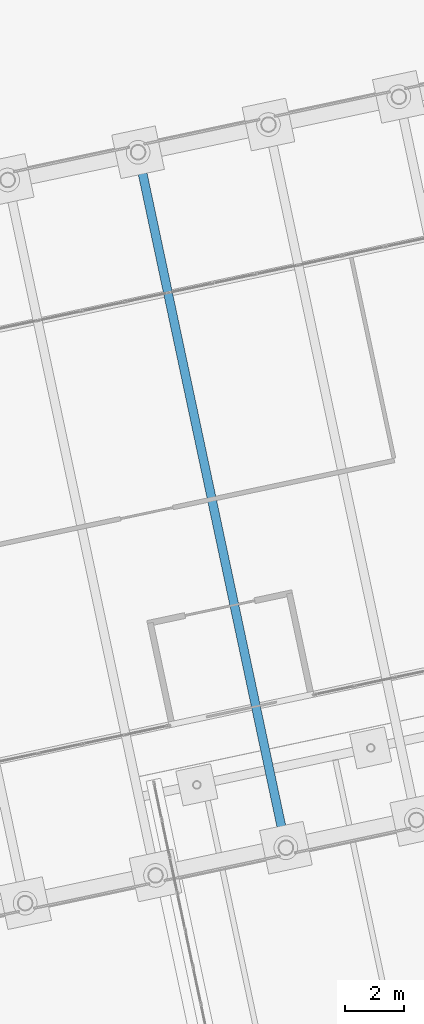
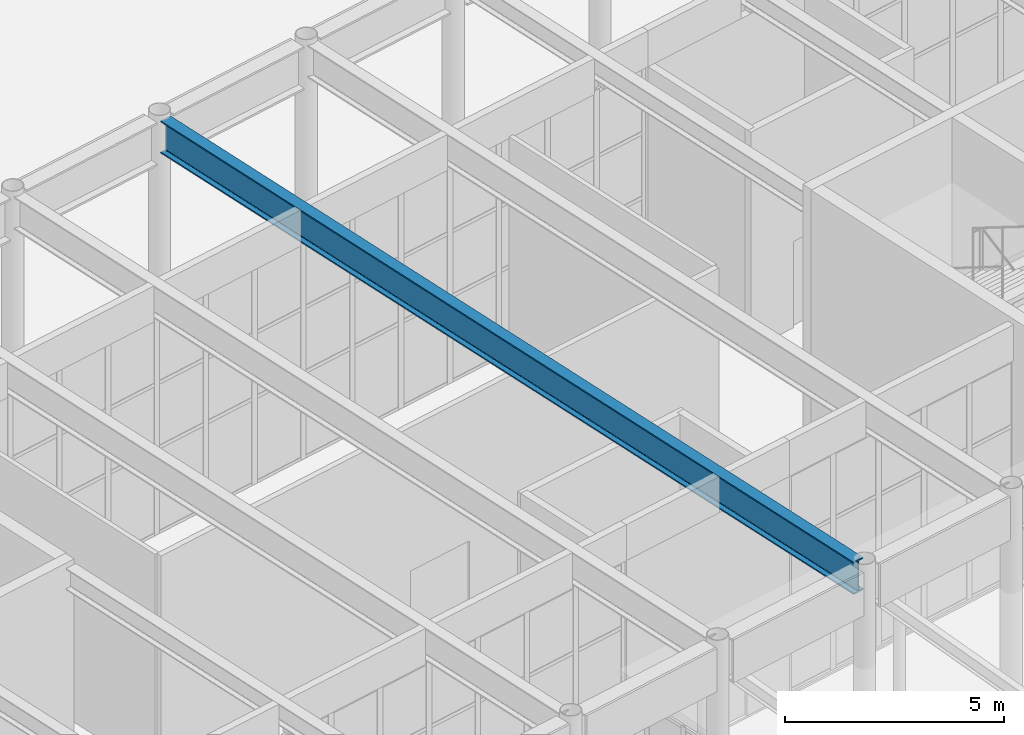
# One storey, part 72 of 239: 1 beam.
"""IFC4 building model written with IfcOpenShell, lengths in metres."""

import ifcopenshell
import ifcopenshell.guid

model = None  # the IFC model being written
_history = None  # IfcOwnerHistory: only IFC2X3 demands one
_inside = {}  # id of a spatial element -> (the spatial element, [elements in it])
_under = {}  # id of a project, library or spatial element -> (it, [spatial elements below it])
_declared = {}  # id of a project -> (the project, [libraries it declares])
_typed = {}  # id of a type object -> (the type object, [elements of that type])
_made_of = {}  # id of a material, layer set ... -> (it, [elements and type objects made of it])


def new_model(schema):
    """Start an empty IFC model of exactly this schema.

    Asked for "IFC4X3", IfcOpenShell would pick the latest addendum, in which some entities
    have other attributes; the version numbers below select the first issue.
    IFC2X3 requires an IfcOwnerHistory on every rooted entity: one is made here for all.
    """
    global model, _history
    if schema == "IFC4X3":
        model = ifcopenshell.file(schema_version=(4, 3, 0, 0))
    else:
        model = ifcopenshell.file(schema=schema)
    _inside.clear()
    _under.clear()
    _declared.clear()
    _typed.clear()
    _made_of.clear()
    _history = None
    if model.schema == "IFC2X3":
        org = make("IfcOrganization", Name="unknown")
        user = make(
            "IfcPersonAndOrganization",
            ThePerson=make("IfcPerson", FamilyName="unknown"),
            TheOrganization=org,
        )
        app = make(
            "IfcApplication",
            ApplicationDeveloper=org,
            Version="unknown",
            ApplicationFullName="unknown",
            ApplicationIdentifier="unknown",
        )
        _history = make(
            "IfcOwnerHistory",
            OwningUser=user,
            OwningApplication=app,
            ChangeAction="ADDED",
            CreationDate=0,
        )
    return model


def make(cls, **values):
    """One entity of the class cls with the attributes given. An attribute that is None is left unset."""
    return model.create_entity(
        cls, **{name: value for name, value in values.items() if value is not None}
    )


def rooted(cls, **values):
    """An entity with a GlobalId (a new one), such as an element, a storey or a relation."""
    return make(cls, GlobalId=ifcopenshell.guid.new(), OwnerHistory=_history, **values)


def si_unit(unit_type, name, prefix=None):
    """IfcSIUnit, for example si_unit("LENGTHUNIT", "METRE", prefix="MILLI")."""
    return make("IfcSIUnit", UnitType=unit_type, Prefix=prefix, Name=name)


def assignment(units):
    """IfcUnitAssignment: the units of a project."""
    return None if units is None else make("IfcUnitAssignment", Units=units)


def point(xyz):
    """IfcCartesianPoint."""
    return None if xyz is None else make("IfcCartesianPoint", Coordinates=xyz)


def direction(xyz):
    """IfcDirection."""
    return None if xyz is None else make("IfcDirection", DirectionRatios=xyz)


def frame(location, z_axis=None, x_axis=None):
    """IfcAxis2Placement3D, a coordinate frame: its origin and axes. An axis left out is left unset."""
    return make(
        "IfcAxis2Placement3D",
        Location=point(location),
        Axis=direction(z_axis),
        RefDirection=direction(x_axis),
    )


def frame_2d(location, x_axis=None):
    """IfcAxis2Placement2D, a coordinate frame in the plane: its origin and x axis."""
    return make(
        "IfcAxis2Placement2D", Location=point(location), RefDirection=direction(x_axis)
    )


def origin():
    """The frame at (0, 0, 0) with its axes left unset."""
    return frame((0.0, 0.0, 0.0))


def origin_2d():
    """The frame at (0, 0) in the plane with its x axis left unset."""
    return frame_2d((0.0, 0.0))


def place(relative_to, where):
    """IfcLocalPlacement: puts the frame where relative to a parent placement (None: the world)."""
    return make(
        "IfcLocalPlacement", PlacementRelTo=relative_to, RelativePlacement=where
    )


def context(
    kind, dimensions, precision=None, world=None, true_north=None, identifier=None
):
    """IfcGeometricRepresentationContext, for example the 3D "Model" context."""
    return make(
        "IfcGeometricRepresentationContext",
        ContextIdentifier=identifier,
        ContextType=kind,
        CoordinateSpaceDimension=dimensions,
        Precision=precision,
        WorldCoordinateSystem=world,
        TrueNorth=true_north,
    )


def subcontext(parent, identifier, kind, view, scale=None):
    """IfcGeometricRepresentationSubContext, for example "Body" below "Model"."""
    return make(
        "IfcGeometricRepresentationSubContext",
        ContextIdentifier=identifier,
        ContextType=kind,
        ParentContext=parent,
        TargetScale=scale,
        TargetView=view,
    )


def project(units=None, contexts=None):
    """IfcProject with its units and contexts."""
    return rooted(
        "IfcProject",
        Name="project",
        RepresentationContexts=contexts,
        UnitsInContext=assignment(units),
    )


def spatial(cls, under=None, at=None, **own):
    """A site, building, storey or space (cls), placed at a placement, below another one or the project."""
    s = rooted(cls, ObjectPlacement=at, **own)
    if under is not None:
        _under.setdefault(under.id(), (under, []))[1].append(s)
    return s


def profile(cls, at=None, kind="AREA", **sizes):
    """A parametric profile (cls). Its sizes go by their IFC names, for example OverallWidth=200.0."""
    return make(cls, ProfileType=kind, Position=at, **sizes)


def i_section(**sizes):
    """IfcIShapeProfileDef."""
    return profile("IfcIShapeProfileDef", **sizes)


def extrude(swept, where, along, depth):
    """IfcExtrudedAreaSolid: the profile swept, set in the frame where, extruded along a direction by depth."""
    return make(
        "IfcExtrudedAreaSolid",
        SweptArea=swept,
        Position=where,
        ExtrudedDirection=direction(along),
        Depth=depth,
    )


def shape(context_of_items, identifier, shape_type, items):
    """IfcShapeRepresentation: the items that make up one representation, for example the "Body"."""
    return make(
        "IfcShapeRepresentation",
        ContextOfItems=context_of_items,
        RepresentationIdentifier=identifier,
        RepresentationType=shape_type,
        Items=items,
    )


def material(Name=None, Category=None):
    """IfcMaterial."""
    return make("IfcMaterial", Name=Name, Category=Category)


def material_profile(
    of_material, cross_section, Name=None, Category=None, Priority=None
):
    """IfcMaterialProfile: a cross section and its material."""
    return make(
        "IfcMaterialProfile",
        Name=Name,
        Material=of_material,
        Profile=cross_section,
        Priority=Priority,
        Category=Category,
    )


def profile_set(profiles, Name=None, composite=None):
    """IfcMaterialProfileSet."""
    return make(
        "IfcMaterialProfileSet",
        Name=Name,
        MaterialProfiles=profiles,
        CompositeProfile=composite,
    )


def made_of(thing, what):
    """Note that an element or type object is made of a material, layer set ...; save() writes the relation."""
    if what is not None:
        _made_of.setdefault(what.id(), (what, []))[1].append(thing)
    return thing


def type_object(cls, material=None, **own):
    """A type object (cls), such as IfcWallType, which elements share."""
    return made_of(rooted(cls, **own), material)


def element(
    cls,
    number,
    at=None,
    inside=None,
    cuts=None,
    type_object=None,
    material=None,
    context=None,
    identifier="Body",
    shape_type=None,
    held_by="IfcProductDefinitionShape",
    body=None,
    shapes=None,
    **own,
):
    """One element of the class cls, such as IfcWall. Its Tag is "e" and its number.

    at: its placement. inside: the storey or other place that contains it. cuts: it is an
    opening in that element (IfcRelVoidsElement). A single representation is given by context,
    identifier, shape_type and body (its items); several are given by shapes. held_by: the class
    of the entity that holds the representations. save() writes the other relations.
    """
    e = rooted(cls, Tag="e%d" % number, ObjectPlacement=at, **own)
    if body is not None:
        shapes = [shape(context, identifier, shape_type, body)]
    if shapes is not None:
        e.Representation = make(held_by, Representations=shapes)
    if inside is not None:
        _inside.setdefault(inside.id(), (inside, []))[1].append(e)
    if cuts is not None:
        rooted(
            "IfcRelVoidsElement", RelatingBuildingElement=cuts, RelatedOpeningElement=e
        )
    if type_object is not None:
        _typed.setdefault(type_object.id(), (type_object, []))[1].append(e)
    return made_of(e, material)


def aggregate(whole, parts):
    """IfcRelAggregates: a whole, such as a stair, and the parts it consists of."""
    return rooted("IfcRelAggregates", RelatingObject=whole, RelatedObjects=parts)


def save(model, path):
    """Write the relations noted so far, then the file.

    IfcRelAggregates (storeys below a building ...), IfcRelContainedInSpatialStructure (elements
    in a storey), IfcRelDefinesByType, IfcRelAssociatesMaterial and IfcRelDeclares: one each for
    every whole, place, type object, material and project.
    """
    for whole, parts in _under.values():
        aggregate(whole, parts)
    for where, things in _inside.values():
        rooted(
            "IfcRelContainedInSpatialStructure",
            RelatedElements=things,
            RelatingStructure=where,
        )
    for kind, things in _typed.values():
        rooted("IfcRelDefinesByType", RelatedObjects=things, RelatingType=kind)
    for what, things in _made_of.values():
        rooted("IfcRelAssociatesMaterial", RelatedObjects=things, RelatingMaterial=what)
    for by, libraries in _declared.values():
        rooted("IfcRelDeclares", RelatingContext=by, RelatedDefinitions=libraries)
    model.write(path)


model = new_model("IFC4")

# Units and contexts
model_context = context("Model", 3, precision=1e-05, world=origin(), true_north=direction((0.0, 1.0)))
body_context = subcontext(model_context, "Body", "Model", "MODEL_VIEW")
ifc_project = project(units=[si_unit("LENGTHUNIT", "METRE"), si_unit("AREAUNIT", "SQUARE_METRE"), si_unit("VOLUMEUNIT", "CUBIC_METRE"), si_unit("PLANEANGLEUNIT", "RADIAN"), si_unit("MASSUNIT", "GRAM", prefix="KILO")], contexts=[model_context])

# Site, building, storey
site_placement = place(None, origin())
site = spatial("IfcSite", under=ifc_project, at=site_placement, CompositionType="ELEMENT")
building_placement = place(site_placement, origin())
building = spatial("IfcBuilding", under=site, at=building_placement, Name="Okhra Congress Centre", CompositionType="ELEMENT")
storey_placement = place(building_placement, origin())
storey = spatial("IfcBuildingStorey", under=building, at=storey_placement, Name="L00", CompositionType="ELEMENT", Elevation=0.0)

# Beam
ifc_material = material(Name="Steel S355J2", Category="steel")
ifc_material_profile = material_profile(ifc_material, i_section(OverallWidth=0.300048828125, OverallDepth=0.89990234375, WebThickness=0.0185546875, FlangeThickness=0.034912109375, FilletRadius=0.030029296875, at=origin_2d()), Name="HE 900 B")
ifc_profile_set = profile_set([ifc_material_profile], Name="Steel S355J2")
beam_type = type_object("IfcBeamType", Name="Floor beam HE 900 B", PredefinedType="BEAM", material=ifc_profile_set)
beam_placement = place(storey_placement, frame((126.994384765625, 41.038818359375, 6.60009765625), z_axis=(-0.207910966979, 0.97814775459, 0.0), x_axis=(-0.97814775459, -0.207910966979, 0.0)))
element("IfcBeam", 1, at=beam_placement, inside=storey, type_object=beam_type, Name="Floor beam 15.1", PredefinedType="BEAM", context=body_context, shape_type="SweptSolid", body=[
    extrude(i_section(OverallWidth=0.300048828125, OverallDepth=0.89990234375, WebThickness=0.0185546875, FlangeThickness=0.034912109375, FilletRadius=0.030029296875, at=origin_2d()), origin(), (0.0, 0.0, 1.0), 23.60009765625),
])

save(model, "model.ifc")
